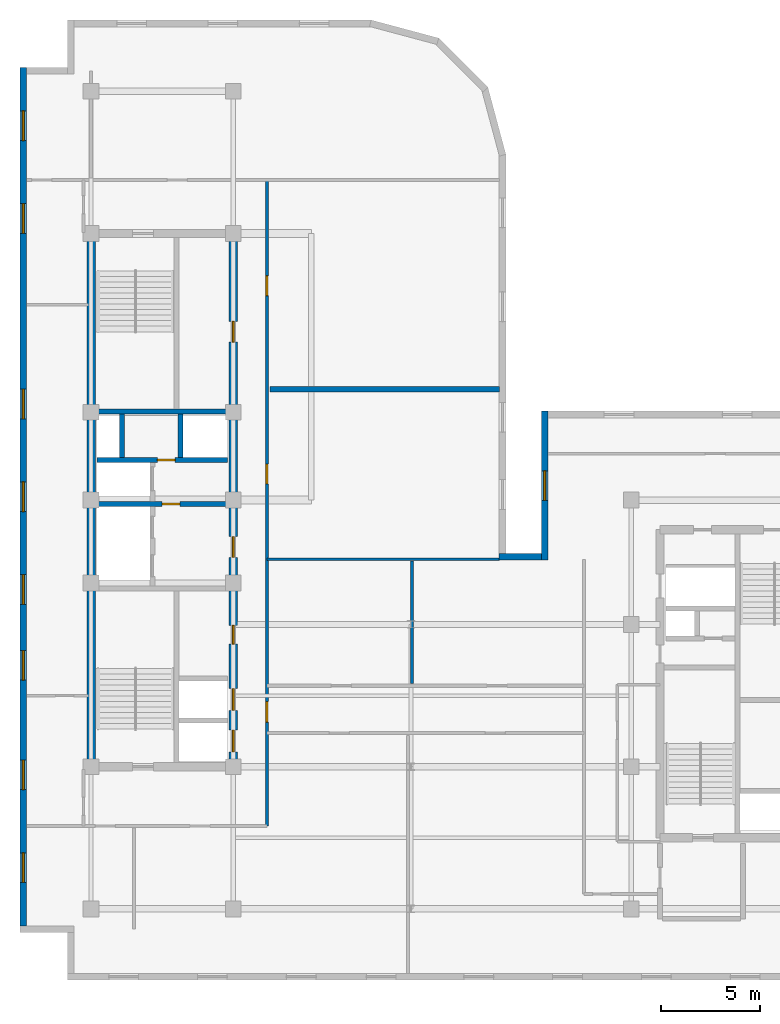
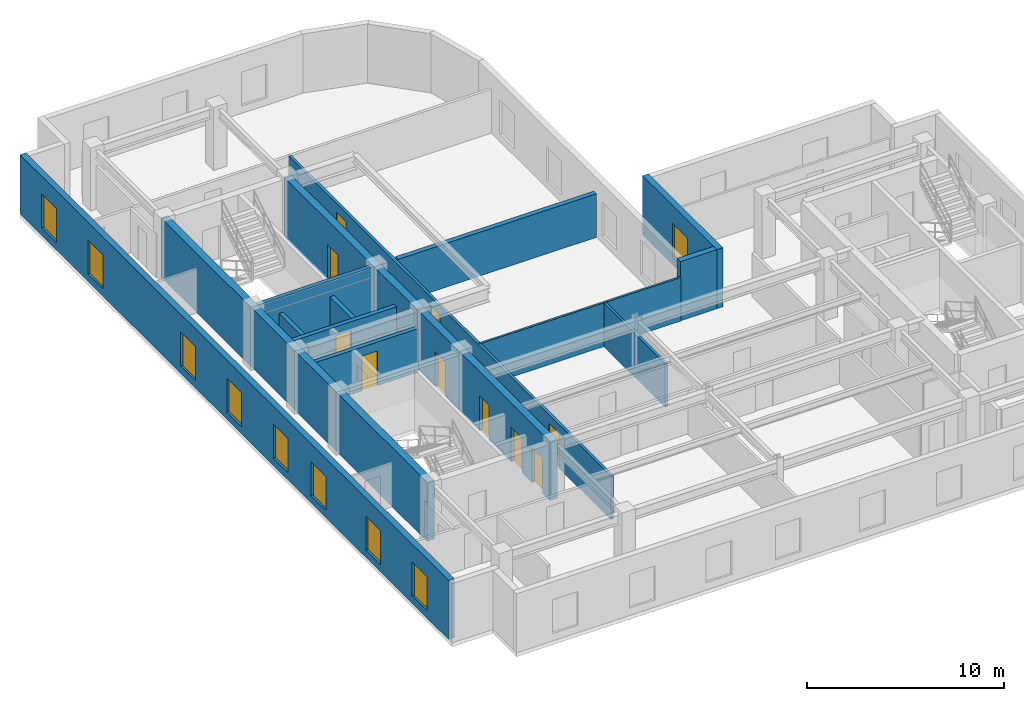
# One storey, part 4 of 9: 15 walls, 10 doors, 9 windows, 19 openings.
"""IFC4 building model written with IfcOpenShell, lengths in metres."""

from ifc_helpers import new_model, entity, si_unit, converted_unit, direction, frame, origin_with_axes, origin_2d_with_axis, place, context, subcontext, project, spatial, polyline, rectangle, outline, extrude, material, layer, layer_set, type_object, element, fill, save


model = new_model("IFC4")

# Units and contexts
model_context = context("Model", 3, precision=1e-05, world=origin_with_axes(), true_north=direction((0.0, 1.0)))
body_context = subcontext(model_context, "Body", "Model", "MODEL_VIEW")
ifc_project = project(units=[si_unit("LENGTHUNIT", "METRE"), si_unit("AREAUNIT", "SQUARE_METRE"), si_unit("VOLUMEUNIT", "CUBIC_METRE"), converted_unit("PLANEANGLEUNIT", "DEGREE", entity("IfcPlaneAngleMeasure", 0.017453292519943295), si_unit("PLANEANGLEUNIT", "RADIAN"), dimensions=[0, 0, 0, 0, 0, 0, 0]), si_unit("MASSUNIT", "GRAM", prefix="KILO"), si_unit("THERMODYNAMICTEMPERATUREUNIT", "KELVIN")], contexts=[model_context])

# Site, building, storey
site_placement = place(None, origin_with_axes())
site = spatial("IfcSite", under=ifc_project, at=site_placement, CompositionType="ELEMENT")
building_placement = place(site_placement, origin_with_axes())
building = spatial("IfcBuilding", under=site, at=building_placement, Name="Varnlund Millrace Tower", CompositionType="ELEMENT")
storey_placement = place(building_placement, frame((0.0, 0.0, 260.7), z_axis=(0.0, 0.0, 1.0), x_axis=(1.0, 0.0, 0.0)))
storey = spatial("IfcBuildingStorey", under=building, at=storey_placement, Name="L64", CompositionType="ELEMENT", Elevation=260.7)

# Wall
ifc_material_1 = material(Name="Concrete C60/75", Category="concrete")
ifc_layer_1 = layer(ifc_material_1, 0.42, Name="Concrete C60/75")
ifc_layer_set_1 = layer_set([ifc_layer_1], Name="Concrete C60/75")
wall_type_1 = type_object("IfcWallType", Name="Type-CoreWall-Shear-420-C60", PredefinedType="SHEAR", material=ifc_layer_set_1)
wall_1_placement = place(storey_placement, frame((11.4, 10.8, 0.0), z_axis=(0.0, 0.0, 1.0), x_axis=(0.0, 1.0, 0.0)))
element("IfcWall", 1, at=wall_1_placement, inside=storey, type_object=wall_type_1, Name="Type-CoreWall-Shear-420-C60", PredefinedType="SHEAR", context=body_context, shape_type="SweptSolid", body=[
    extrude(outline(polyline([(0.0, -0.21), (27.0, -0.21), (27.0, 0.21), (0.0, 0.21), (0.0, -0.21)])), origin_with_axes(), (0.0, 0.0, 1.0), 3.66),
])

# Wall, openings, doors
wall_2_placement = place(storey_placement, frame((18.6, 10.8, 0.0), z_axis=(0.0, 0.0, 1.0), x_axis=(0.0, 1.0, 0.0)))
wall_2 = element("IfcWall", 2, at=wall_2_placement, inside=storey, type_object=wall_type_1, Name="Type-CoreWall-Shear-420-C60", PredefinedType="SHEAR", context=body_context, shape_type="SweptSolid", body=[
    extrude(outline(polyline([(0.0, -0.21), (13.5, -0.21), (13.5, 0.21), (0.0, 0.21), (0.0, -0.21)])), origin_with_axes(), (0.0, 0.0, 1.0), 3.66),
])
opening_1_placement = place(wall_2_placement, frame((1.3, 0.0, 0.0), z_axis=(0.0, 0.0, 1.0), x_axis=(1.0, 0.0, 0.0)))
opening_1 = element("IfcOpeningElement", 3, at=opening_1_placement, cuts=wall_2, Name="Opening L64:LD-ELV-H1", PredefinedType="OPENING", context=body_context, shape_type="SweptSolid", body=[
    extrude(rectangle(XDim=1.1, YDim=0.44, at=origin_2d_with_axis()), origin_with_axes(), (0.0, 0.0, 1.0), 2.15),
])
opening_2_placement = place(wall_2_placement, frame((3.4, 0.0, 0.0), z_axis=(0.0, 0.0, 1.0), x_axis=(1.0, 0.0, 0.0)))
opening_2 = element("IfcOpeningElement", 4, at=opening_2_placement, cuts=wall_2, Name="Opening L64:LD-ELV-H2", PredefinedType="OPENING", context=body_context, shape_type="SweptSolid", body=[
    extrude(rectangle(XDim=1.1, YDim=0.44, at=origin_2d_with_axis()), origin_with_axes(), (0.0, 0.0, 1.0), 2.15),
])
opening_3_placement = place(wall_2_placement, frame((11.125, 0.0, 0.0), z_axis=(0.0, 0.0, 1.0), x_axis=(1.0, 0.0, 0.0)))
opening_3 = element("IfcOpeningElement", 5, at=opening_3_placement, cuts=wall_2, Name="Opening L64:DR-FFLOB-A", PredefinedType="OPENING", context=body_context, shape_type="SweptSolid", body=[
    extrude(rectangle(XDim=1.05, YDim=0.44, at=origin_2d_with_axis()), origin_with_axes(), (0.0, 0.0, 1.0), 2.15),
])
opening_4_placement = place(wall_2_placement, frame((6.675, 0.0, 0.0), z_axis=(0.0, 0.0, 1.0), x_axis=(1.0, 0.0, 0.0)))
opening_4 = element("IfcOpeningElement", 6, at=opening_4_placement, cuts=wall_2, Name="Opening L64:DR-RECL-S1AB", PredefinedType="OPENING", context=body_context, shape_type="SweptSolid", body=[
    extrude(rectangle(XDim=0.95, YDim=0.44, at=origin_2d_with_axis()), origin_with_axes(), (0.0, 0.0, 1.0), 2.15),
])
ifc_material_2 = material(Name="Smoke-barrier hollow steel fire door", Category="steel")
door_type_1 = type_object("IfcDoorType", Name="Type-FireDoor-Lobby-1050X2150", OperationType="NOTDEFINED", PredefinedType="DOOR", material=ifc_material_2)
door_1_placement = place(wall_2_placement, frame((11.125, 0.0, 0.0), z_axis=(0.0, 0.0, 1.0), x_axis=(1.0, 0.0, 0.0)))
door_1 = element("IfcDoor", 7, at=door_1_placement, inside=storey, type_object=door_type_1, Name="Type-FireDoor-Lobby-1050X2150", OperationType="SINGLE_SWING_LEFT", OverallHeight=2.15, OverallWidth=1.05, PredefinedType="DOOR", context=body_context, shape_type="SweptSolid", body=[
    extrude(rectangle(XDim=1.05, YDim=0.09, at=origin_2d_with_axis()), origin_with_axes(), (0.0, 0.0, 1.0), 2.15),
])
fill(opening_3, door_1)
ifc_material_3 = material(Name="Fire-rated hollow steel core service door", Category="steel")
door_type_2 = type_object("IfcDoorType", Name="Type-FireDoor-Service-950X2150", OperationType="NOTDEFINED", PredefinedType="DOOR", material=ifc_material_3)
door_2_placement = place(wall_2_placement, frame((6.675, 0.0, 0.0), z_axis=(0.0, 0.0, 1.0), x_axis=(1.0, 0.0, 0.0)))
door_2 = element("IfcDoor", 8, at=door_2_placement, inside=storey, type_object=door_type_2, Name="Type-FireDoor-Service-950X2150", OperationType="SINGLE_SWING_LEFT", OverallHeight=2.15, OverallWidth=0.95, PredefinedType="DOOR", context=body_context, shape_type="SweptSolid", body=[
    extrude(rectangle(XDim=0.95, YDim=0.09, at=origin_2d_with_axis()), origin_with_axes(), (0.0, 0.0, 1.0), 2.15),
])
fill(opening_4, door_2)
ifc_material_4 = material(Name="Stainless and architectural bronze sliding landing door")
door_type_3 = type_object("IfcDoorType", Name="Type-LiftLandingDoor-1100X2150", OperationType="NOTDEFINED", PredefinedType="DOOR", material=ifc_material_4)
door_3_placement = place(wall_2_placement, frame((1.3, 0.0, 0.0), z_axis=(0.0, 0.0, 1.0), x_axis=(1.0, 0.0, 0.0)))
door_3 = element("IfcDoor", 9, at=door_3_placement, inside=storey, type_object=door_type_3, Name="Type-LiftLandingDoor-1100X2150", OperationType="SLIDING_TO_LEFT", OverallHeight=2.15, OverallWidth=1.1, PredefinedType="DOOR", context=body_context, shape_type="SweptSolid", body=[
    extrude(rectangle(XDim=1.1, YDim=0.09, at=origin_2d_with_axis()), origin_with_axes(), (0.0, 0.0, 1.0), 2.15),
])
fill(opening_1, door_3)
door_4_placement = place(wall_2_placement, frame((3.4, 0.0, 0.0), z_axis=(0.0, 0.0, 1.0), x_axis=(1.0, 0.0, 0.0)))
door_4 = element("IfcDoor", 10, at=door_4_placement, inside=storey, type_object=door_type_3, Name="Type-LiftLandingDoor-1100X2150", OperationType="SLIDING_TO_RIGHT", OverallHeight=2.15, OverallWidth=1.1, PredefinedType="DOOR", context=body_context, shape_type="SweptSolid", body=[
    extrude(rectangle(XDim=1.1, YDim=0.09, at=origin_2d_with_axis()), origin_with_axes(), (0.0, 0.0, 1.0), 2.15),
])
fill(opening_2, door_4)

# Wall, opening, door
wall_3_placement = place(storey_placement, frame((18.6, 24.3, 0.0), z_axis=(0.0, 0.0, 1.0), x_axis=(0.0, 1.0, 0.0)))
wall_3 = element("IfcWall", 11, at=wall_3_placement, inside=storey, type_object=wall_type_1, Name="Type-CoreWall-Shear-420-C60", PredefinedType="SHEAR", context=body_context, shape_type="SweptSolid", body=[
    extrude(outline(polyline([(0.0, -0.21), (13.5, -0.21), (13.5, 0.21), (0.0, 0.21), (0.0, -0.21)])), origin_with_axes(), (0.0, 0.0, 1.0), 3.66),
])
opening_5_placement = place(wall_3_placement, frame((8.525, 0.0, 0.0), z_axis=(0.0, 0.0, 1.0), x_axis=(1.0, 0.0, 0.0)))
opening_5 = element("IfcOpeningElement", 12, at=opening_5_placement, cuts=wall_3, Name="Opening L64:DR-RECL-M", PredefinedType="OPENING", context=body_context, shape_type="SweptSolid", body=[
    extrude(rectangle(XDim=1.05, YDim=0.44, at=origin_2d_with_axis()), origin_with_axes(), (0.0, 0.0, 1.0), 2.15),
])
door_5_placement = place(wall_3_placement, frame((8.525, 0.0, 0.0), z_axis=(0.0, 0.0, 1.0), x_axis=(1.0, 0.0, 0.0)))
door_5 = element("IfcDoor", 13, at=door_5_placement, inside=storey, type_object=door_type_1, Name="Type-FireDoor-Lobby-1050X2150", OperationType="SINGLE_SWING_LEFT", OverallHeight=2.15, OverallWidth=1.05, PredefinedType="DOOR", context=body_context, shape_type="SweptSolid", body=[
    extrude(rectangle(XDim=1.05, YDim=0.09, at=origin_2d_with_axis()), origin_with_axes(), (0.0, 0.0, 1.0), 2.15),
])
fill(opening_5, door_5)

# Wall, opening, window
ifc_material_5 = material(Name="Precast concrete C50/60", Category="concrete")
ifc_layer_2 = layer(ifc_material_5, 0.34, Name="Precast concrete C50/60")
ifc_layer_set_2 = layer_set([ifc_layer_2], Name="Precast concrete C50/60")
wall_type_2 = type_object("IfcWallType", Name="Type-ExtWall-Precast-Upper-340", PredefinedType="SOLIDWALL", material=ifc_layer_set_2)
wall_4_placement = place(storey_placement, frame((34.37, 21.26, 0.0), z_axis=(0.0, 0.0, 1.0), x_axis=(0.0, 1.0, 0.0)))
wall_4 = element("IfcWall", 14, at=wall_4_placement, inside=storey, type_object=wall_type_2, Name="Type-ExtWall-Precast-Upper-340", PredefinedType="SOLIDWALL", context=body_context, shape_type="SweptSolid", body=[
    extrude(outline(polyline([(0.0, -0.17), (7.54, -0.17), (7.54, 0.17), (0.0, 0.17), (0.0, -0.17)])), origin_with_axes(), (0.0, 0.0, 1.0), 3.66),
])
opening_6_placement = place(wall_4_placement, frame((3.77, 0.0, 0.45), z_axis=(0.0, 0.0, 1.0), x_axis=(1.0, 0.0, 0.0)))
opening_6 = element("IfcOpeningElement", 15, at=opening_6_placement, cuts=wall_4, Name="Opening L64:WN-01", PredefinedType="OPENING", context=body_context, shape_type="SweptSolid", body=[
    extrude(rectangle(XDim=1.5, YDim=0.36, at=origin_2d_with_axis()), origin_with_axes(), (0.0, 0.0, 1.0), 2.1),
])
ifc_material_6 = material(Name="Argon low-e triple glazing in thermally broken bronze frame", Category="glass")
window_type = type_object("IfcWindowType", Name="Type-Window-Punched-1500X2100", PartitioningType="SINGLE_PANEL", PredefinedType="WINDOW", material=ifc_material_6)
window_1_placement = place(wall_4_placement, frame((3.77, 0.0, 0.45), z_axis=(0.0, 0.0, 1.0), x_axis=(1.0, 0.0, 0.0)))
window_1 = element("IfcWindow", 16, at=window_1_placement, inside=storey, type_object=window_type, Name="Type-Window-Punched-1500X2100", OverallHeight=2.1, OverallWidth=1.5, PredefinedType="WINDOW", context=body_context, shape_type="SweptSolid", body=[
    extrude(rectangle(XDim=1.5, YDim=0.09, at=origin_2d_with_axis()), origin_with_axes(), (0.0, 0.0, 1.0), 2.1),
])
fill(opening_6, window_1)

# Wall, openings, windows
wall_5_placement = place(storey_placement, frame((7.97, 2.74, 0.0), z_axis=(0.0, 0.0, 1.0), x_axis=(0.0, 1.0, 0.0)))
wall_5 = element("IfcWall", 17, at=wall_5_placement, inside=storey, type_object=wall_type_2, Name="Type-ExtWall-Precast-Upper-340", PredefinedType="SOLIDWALL", context=body_context, shape_type="SweptSolid", body=[
    extrude(outline(polyline([(0.0, -0.17), (43.46, -0.17), (43.46, 0.17), (0.0, 0.17), (0.0, -0.17)])), origin_with_axes(), (0.0, 0.0, 1.0), 3.66),
])
opening_7_placement = place(wall_5_placement, frame((2.948, 0.0, 0.45), z_axis=(0.0, 0.0, 1.0), x_axis=(1.0, 0.0, 0.0)))
opening_7 = element("IfcOpeningElement", 18, at=opening_7_placement, cuts=wall_5, Name="Opening L64:WN-17", PredefinedType="OPENING", context=body_context, shape_type="SweptSolid", body=[
    extrude(rectangle(XDim=1.5, YDim=0.36, at=origin_2d_with_axis()), origin_with_axes(), (0.0, 0.0, 1.0), 2.1),
])
opening_8_placement = place(wall_5_placement, frame((7.643, 0.0, 0.45), z_axis=(0.0, 0.0, 1.0), x_axis=(1.0, 0.0, 0.0)))
opening_8 = element("IfcOpeningElement", 19, at=opening_8_placement, cuts=wall_5, Name="Opening L64:WN-18", PredefinedType="OPENING", context=body_context, shape_type="SweptSolid", body=[
    extrude(rectangle(XDim=1.5, YDim=0.36, at=origin_2d_with_axis()), origin_with_axes(), (0.0, 0.0, 1.0), 2.1),
])
opening_9_placement = place(wall_5_placement, frame((13.189, 0.0, 0.45), z_axis=(0.0, 0.0, 1.0), x_axis=(1.0, 0.0, 0.0)))
opening_9 = element("IfcOpeningElement", 20, at=opening_9_placement, cuts=wall_5, Name="Opening L64:WN-19", PredefinedType="OPENING", context=body_context, shape_type="SweptSolid", body=[
    extrude(rectangle(XDim=1.5, YDim=0.36, at=origin_2d_with_axis()), origin_with_axes(), (0.0, 0.0, 1.0), 2.1),
])
opening_10_placement = place(wall_5_placement, frame((17.034, 0.0, 0.45), z_axis=(0.0, 0.0, 1.0), x_axis=(1.0, 0.0, 0.0)))
opening_10 = element("IfcOpeningElement", 21, at=opening_10_placement, cuts=wall_5, Name="Opening L64:WN-20", PredefinedType="OPENING", context=body_context, shape_type="SweptSolid", body=[
    extrude(rectangle(XDim=1.5, YDim=0.36, at=origin_2d_with_axis()), origin_with_axes(), (0.0, 0.0, 1.0), 2.1),
])
opening_11_placement = place(wall_5_placement, frame((21.73, 0.0, 0.45), z_axis=(0.0, 0.0, 1.0), x_axis=(1.0, 0.0, 0.0)))
opening_11 = element("IfcOpeningElement", 22, at=opening_11_placement, cuts=wall_5, Name="Opening L64:WN-21", PredefinedType="OPENING", context=body_context, shape_type="SweptSolid", body=[
    extrude(rectangle(XDim=1.5, YDim=0.36, at=origin_2d_with_axis()), origin_with_axes(), (0.0, 0.0, 1.0), 2.1),
])
opening_12_placement = place(wall_5_placement, frame((26.426, 0.0, 0.45), z_axis=(0.0, 0.0, 1.0), x_axis=(1.0, 0.0, 0.0)))
opening_12 = element("IfcOpeningElement", 23, at=opening_12_placement, cuts=wall_5, Name="Opening L64:WN-22", PredefinedType="OPENING", context=body_context, shape_type="SweptSolid", body=[
    extrude(rectangle(XDim=1.5, YDim=0.36, at=origin_2d_with_axis()), origin_with_axes(), (0.0, 0.0, 1.0), 2.1),
])
opening_13_placement = place(wall_5_placement, frame((35.817, 0.0, 0.45), z_axis=(0.0, 0.0, 1.0), x_axis=(1.0, 0.0, 0.0)))
opening_13 = element("IfcOpeningElement", 24, at=opening_13_placement, cuts=wall_5, Name="Opening L64:WN-23", PredefinedType="OPENING", context=body_context, shape_type="SweptSolid", body=[
    extrude(rectangle(XDim=1.5, YDim=0.36, at=origin_2d_with_axis()), origin_with_axes(), (0.0, 0.0, 1.0), 2.1),
])
opening_14_placement = place(wall_5_placement, frame((40.512, 0.0, 0.45), z_axis=(0.0, 0.0, 1.0), x_axis=(1.0, 0.0, 0.0)))
opening_14 = element("IfcOpeningElement", 25, at=opening_14_placement, cuts=wall_5, Name="Opening L64:WN-24", PredefinedType="OPENING", context=body_context, shape_type="SweptSolid", body=[
    extrude(rectangle(XDim=1.5, YDim=0.36, at=origin_2d_with_axis()), origin_with_axes(), (0.0, 0.0, 1.0), 2.1),
])
window_2_placement = place(wall_5_placement, frame((2.948, 0.0, 0.45), z_axis=(0.0, 0.0, 1.0), x_axis=(1.0, 0.0, 0.0)))
window_2 = element("IfcWindow", 26, at=window_2_placement, inside=storey, type_object=window_type, Name="Type-Window-Punched-1500X2100", OverallHeight=2.1, OverallWidth=1.5, PredefinedType="WINDOW", context=body_context, shape_type="SweptSolid", body=[
    extrude(rectangle(XDim=1.5, YDim=0.09, at=origin_2d_with_axis()), origin_with_axes(), (0.0, 0.0, 1.0), 2.1),
])
fill(opening_7, window_2)
window_3_placement = place(wall_5_placement, frame((7.643, 0.0, 0.45), z_axis=(0.0, 0.0, 1.0), x_axis=(1.0, 0.0, 0.0)))
window_3 = element("IfcWindow", 27, at=window_3_placement, inside=storey, type_object=window_type, Name="Type-Window-Punched-1500X2100", OverallHeight=2.1, OverallWidth=1.5, PredefinedType="WINDOW", context=body_context, shape_type="SweptSolid", body=[
    extrude(rectangle(XDim=1.5, YDim=0.09, at=origin_2d_with_axis()), origin_with_axes(), (0.0, 0.0, 1.0), 2.1),
])
fill(opening_8, window_3)
window_4_placement = place(wall_5_placement, frame((13.189, 0.0, 0.45), z_axis=(0.0, 0.0, 1.0), x_axis=(1.0, 0.0, 0.0)))
window_4 = element("IfcWindow", 28, at=window_4_placement, inside=storey, type_object=window_type, Name="Type-Window-Punched-1500X2100", OverallHeight=2.1, OverallWidth=1.5, PredefinedType="WINDOW", context=body_context, shape_type="SweptSolid", body=[
    extrude(rectangle(XDim=1.5, YDim=0.09, at=origin_2d_with_axis()), origin_with_axes(), (0.0, 0.0, 1.0), 2.1),
])
fill(opening_9, window_4)
window_5_placement = place(wall_5_placement, frame((17.034, 0.0, 0.45), z_axis=(0.0, 0.0, 1.0), x_axis=(1.0, 0.0, 0.0)))
window_5 = element("IfcWindow", 29, at=window_5_placement, inside=storey, type_object=window_type, Name="Type-Window-Punched-1500X2100", OverallHeight=2.1, OverallWidth=1.5, PredefinedType="WINDOW", context=body_context, shape_type="SweptSolid", body=[
    extrude(rectangle(XDim=1.5, YDim=0.09, at=origin_2d_with_axis()), origin_with_axes(), (0.0, 0.0, 1.0), 2.1),
])
fill(opening_10, window_5)
window_6_placement = place(wall_5_placement, frame((21.73, 0.0, 0.45), z_axis=(0.0, 0.0, 1.0), x_axis=(1.0, 0.0, 0.0)))
window_6 = element("IfcWindow", 30, at=window_6_placement, inside=storey, type_object=window_type, Name="Type-Window-Punched-1500X2100", OverallHeight=2.1, OverallWidth=1.5, PredefinedType="WINDOW", context=body_context, shape_type="SweptSolid", body=[
    extrude(rectangle(XDim=1.5, YDim=0.09, at=origin_2d_with_axis()), origin_with_axes(), (0.0, 0.0, 1.0), 2.1),
])
fill(opening_11, window_6)
window_7_placement = place(wall_5_placement, frame((26.426, 0.0, 0.45), z_axis=(0.0, 0.0, 1.0), x_axis=(1.0, 0.0, 0.0)))
window_7 = element("IfcWindow", 31, at=window_7_placement, inside=storey, type_object=window_type, Name="Type-Window-Punched-1500X2100", OverallHeight=2.1, OverallWidth=1.5, PredefinedType="WINDOW", context=body_context, shape_type="SweptSolid", body=[
    extrude(rectangle(XDim=1.5, YDim=0.09, at=origin_2d_with_axis()), origin_with_axes(), (0.0, 0.0, 1.0), 2.1),
])
fill(opening_12, window_7)
window_8_placement = place(wall_5_placement, frame((35.817, 0.0, 0.45), z_axis=(0.0, 0.0, 1.0), x_axis=(1.0, 0.0, 0.0)))
window_8 = element("IfcWindow", 32, at=window_8_placement, inside=storey, type_object=window_type, Name="Type-Window-Punched-1500X2100", OverallHeight=2.1, OverallWidth=1.5, PredefinedType="WINDOW", context=body_context, shape_type="SweptSolid", body=[
    extrude(rectangle(XDim=1.5, YDim=0.09, at=origin_2d_with_axis()), origin_with_axes(), (0.0, 0.0, 1.0), 2.1),
])
fill(opening_13, window_8)
window_9_placement = place(wall_5_placement, frame((40.512, 0.0, 0.45), z_axis=(0.0, 0.0, 1.0), x_axis=(1.0, 0.0, 0.0)))
window_9 = element("IfcWindow", 33, at=window_9_placement, inside=storey, type_object=window_type, Name="Type-Window-Punched-1500X2100", OverallHeight=2.1, OverallWidth=1.5, PredefinedType="WINDOW", context=body_context, shape_type="SweptSolid", body=[
    extrude(rectangle(XDim=1.5, YDim=0.09, at=origin_2d_with_axis()), origin_with_axes(), (0.0, 0.0, 1.0), 2.1),
])
fill(opening_14, window_9)

# Walls
wall_6_placement = place(storey_placement, frame((32.06, 21.43, 0.0), z_axis=(0.0, 0.0, 1.0), x_axis=(1.0, 0.0, 0.0)))
element("IfcWall", 34, at=wall_6_placement, inside=storey, type_object=wall_type_2, Name="Type-ExtWall-Precast-Upper-340", PredefinedType="SOLIDWALL", context=body_context, shape_type="SweptSolid", body=[
    extrude(outline(polyline([(0.0, -0.17), (2.14, -0.17), (2.14, 0.17), (0.0, 0.17), (0.0, -0.17)])), origin_with_axes(), (0.0, 0.0, 1.0), 3.66),
])
ifc_material_7 = material(Name="Double-stud STC-60 conference acoustic partition", Category="gypsum")
ifc_layer_3 = layer(ifc_material_7, 0.28, Name="Double-stud STC-60 conference acoustic partition")
ifc_layer_set_3 = layer_set([ifc_layer_3], Name="Double-stud STC-60 conference acoustic partition")
wall_type_3 = type_object("IfcWallType", Name="Type-Partition-Acoustic-280", PredefinedType="PARTITIONING", material=ifc_layer_set_3)
wall_7_placement = place(storey_placement, frame((20.45, 29.92, 0.0), z_axis=(0.0, 0.0, 1.0), x_axis=(1.0, 0.0, 0.0)))
element("IfcWall", 35, at=wall_7_placement, inside=storey, type_object=wall_type_3, Name="Type-Partition-Acoustic-280", PredefinedType="PARTITIONING", context=body_context, shape_type="SweptSolid", body=[
    extrude(outline(polyline([(0.0, -0.14), (11.615, -0.14), (11.615, 0.14), (0.0, 0.14), (0.0, -0.14)])), origin_with_axes(), (0.0, 0.0, 1.0), 2.7),
])

# Wall, openings, doors
ifc_material_8 = material(Name="Fire-rated gypsum board on cold-formed steel framing", Category="steel")
ifc_layer_4 = layer(ifc_material_8, 0.16, Name="Fire-rated gypsum board on cold-formed steel framing")
ifc_layer_set_4 = layer_set([ifc_layer_4], Name="Fire-rated gypsum board on cold-formed steel framing")
wall_type_4 = type_object("IfcWallType", Name="Type-Partition-Corridor-160", PredefinedType="PARTITIONING", material=ifc_layer_set_4)
wall_8_placement = place(storey_placement, frame((20.3, 7.8, 0.0), z_axis=(0.0, 0.0, 1.0), x_axis=(0.0, 1.0, 0.0)))
wall_8 = element("IfcWall", 36, at=wall_8_placement, inside=storey, type_object=wall_type_4, Name="Type-Partition-Corridor-160", PredefinedType="PARTITIONING", context=body_context, shape_type="SweptSolid", body=[
    extrude(outline(polyline([(0.0, -0.08), (32.7, -0.08), (32.7, 0.08), (0.0, 0.08), (0.0, -0.08)])), origin_with_axes(), (0.0, 0.0, 1.0), 2.7),
])
opening_15_placement = place(wall_8_placement, frame((17.825, 0.0, 0.0), z_axis=(0.0, 0.0, 1.0), x_axis=(1.0, 0.0, 0.0)))
opening_15 = element("IfcOpeningElement", 37, at=opening_15_placement, cuts=wall_8, Name="Opening L64:DR-FLR-01", PredefinedType="OPENING", context=body_context, shape_type="SweptSolid", body=[
    extrude(rectangle(XDim=1.0, YDim=0.18, at=origin_2d_with_axis()), origin_with_axes(), (0.0, 0.0, 1.0), 2.15),
])
opening_16_placement = place(wall_8_placement, frame((27.345, 0.0, 0.0), z_axis=(0.0, 0.0, 1.0), x_axis=(1.0, 0.0, 0.0)))
opening_16 = element("IfcOpeningElement", 38, at=opening_16_placement, cuts=wall_8, Name="Opening L64:DR-FLR-02", PredefinedType="OPENING", context=body_context, shape_type="SweptSolid", body=[
    extrude(rectangle(XDim=1.0, YDim=0.18, at=origin_2d_with_axis()), origin_with_axes(), (0.0, 0.0, 1.0), 2.15),
])
opening_17_placement = place(wall_8_placement, frame((5.775, 0.0, 0.0), z_axis=(0.0, 0.0, 1.0), x_axis=(1.0, 0.0, 0.0)))
opening_17 = element("IfcOpeningElement", 39, at=opening_17_placement, cuts=wall_8, Name="Opening L64:DR-KN-W", PredefinedType="OPENING", context=body_context, shape_type="SweptSolid", body=[
    extrude(rectangle(XDim=1.05, YDim=0.18, at=origin_2d_with_axis()), origin_with_axes(), (0.0, 0.0, 1.0), 2.15),
])
door_6_placement = place(wall_8_placement, frame((5.775, 0.0, 0.0), z_axis=(0.0, 0.0, 1.0), x_axis=(1.0, 0.0, 0.0)))
door_6 = element("IfcDoor", 40, at=door_6_placement, inside=storey, type_object=door_type_1, Name="Type-FireDoor-Lobby-1050X2150", OperationType="SINGLE_SWING_LEFT", OverallHeight=2.15, OverallWidth=1.05, PredefinedType="DOOR", context=body_context, shape_type="SweptSolid", body=[
    extrude(rectangle(XDim=1.05, YDim=0.09, at=origin_2d_with_axis()), origin_with_axes(), (0.0, 0.0, 1.0), 2.15),
])
fill(opening_17, door_6)
ifc_material_9 = material(Name="Solid-core white oak and bronze frame door")
door_type_4 = type_object("IfcDoorType", Name="Type-IntDoor-Office-1000X2150", OperationType="NOTDEFINED", PredefinedType="DOOR", material=ifc_material_9)
door_7_placement = place(wall_8_placement, frame((17.825, 0.0, 0.0), z_axis=(0.0, 0.0, 1.0), x_axis=(1.0, 0.0, 0.0)))
door_7 = element("IfcDoor", 41, at=door_7_placement, inside=storey, type_object=door_type_4, Name="Type-IntDoor-Office-1000X2150", OperationType="SINGLE_SWING_LEFT", OverallHeight=2.15, OverallWidth=1.0, PredefinedType="DOOR", context=body_context, shape_type="SweptSolid", body=[
    extrude(rectangle(XDim=1.0, YDim=0.09, at=origin_2d_with_axis()), origin_with_axes(), (0.0, 0.0, 1.0), 2.15),
])
fill(opening_15, door_7)
door_8_placement = place(wall_8_placement, frame((27.345, 0.0, 0.0), z_axis=(0.0, 0.0, 1.0), x_axis=(1.0, 0.0, 0.0)))
door_8 = element("IfcDoor", 42, at=door_8_placement, inside=storey, type_object=door_type_4, Name="Type-IntDoor-Office-1000X2150", OperationType="SINGLE_SWING_RIGHT", OverallHeight=2.15, OverallWidth=1.0, PredefinedType="DOOR", context=body_context, shape_type="SweptSolid", body=[
    extrude(rectangle(XDim=1.0, YDim=0.09, at=origin_2d_with_axis()), origin_with_axes(), (0.0, 0.0, 1.0), 2.15),
])
fill(opening_16, door_8)

# Walls
ifc_material_10 = material(Name="Acoustic STC-50 gypsum board partition", Category="gypsum")
ifc_layer_5 = layer(ifc_material_10, 0.15, Name="Acoustic STC-50 gypsum board partition")
ifc_layer_set_5 = layer_set([ifc_layer_5], Name="Acoustic STC-50 gypsum board partition")
wall_type_5 = type_object("IfcWallType", Name="Type-Partition-Demising-150", PredefinedType="PARTITIONING", material=ifc_layer_set_5)
wall_9_placement = place(storey_placement, frame((27.638, 15.02, 0.0), z_axis=(0.0, 0.0, 1.0), x_axis=(0.0, 1.0, 0.0)))
element("IfcWall", 43, at=wall_9_placement, inside=storey, type_object=wall_type_5, Name="Type-Partition-Demising-150", PredefinedType="PARTITIONING", context=body_context, shape_type="SweptSolid", body=[
    extrude(outline(polyline([(0.0, -0.075), (6.2, -0.075), (6.2, 0.075), (0.0, 0.075), (0.0, -0.075)])), origin_with_axes(), (0.0, 0.0, 1.0), 2.7),
])
ifc_material_11 = material(Name="Gypsum board tenant partition", Category="gypsum")
ifc_layer_6 = layer(ifc_material_11, 0.125, Name="Gypsum board tenant partition")
ifc_layer_set_6 = layer_set([ifc_layer_6], Name="Gypsum board tenant partition")
wall_type_6 = type_object("IfcWallType", Name="Type-Partition-Tenant-125", PredefinedType="PARTITIONING", material=ifc_layer_set_6)
wall_10_placement = place(storey_placement, frame((20.3, 21.3, 0.0), z_axis=(0.0, 0.0, 1.0), x_axis=(1.0, 0.0, 0.0)))
element("IfcWall", 44, at=wall_10_placement, inside=storey, type_object=wall_type_6, Name="Type-Partition-Tenant-125", PredefinedType="PARTITIONING", context=body_context, shape_type="SweptSolid", body=[
    extrude(outline(polyline([(0.0, -0.0625), (11.765, -0.0625), (11.765, 0.0625), (0.0, 0.0625), (0.0, -0.0625)])), origin_with_axes(), (0.0, 0.0, 1.0), 2.7),
])

# Wall, opening, door
ifc_layer_7 = layer(ifc_material_1, 0.25, Name="Concrete C60/75")
ifc_layer_set_7 = layer_set([ifc_layer_7], Name="Concrete C60/75")
wall_type_7 = type_object("IfcWallType", Name="Type-ShaftWall-Fire-250", PredefinedType="SOLIDWALL", material=ifc_layer_set_7)
wall_11_placement = place(storey_placement, frame((11.7, 24.1, 0.0), z_axis=(0.0, 0.0, 1.0), x_axis=(1.0, 0.0, 0.0)))
wall_11 = element("IfcWall", 45, at=wall_11_placement, inside=storey, type_object=wall_type_7, Name="Type-ShaftWall-Fire-250", PredefinedType="SOLIDWALL", context=body_context, shape_type="SweptSolid", body=[
    extrude(outline(polyline([(0.0, -0.125), (6.6, -0.125), (6.6, 0.125), (0.0, 0.125), (0.0, -0.125)])), origin_with_axes(), (0.0, 0.0, 1.0), 2.7),
])
opening_18_placement = place(wall_11_placement, frame((3.75, 0.0, 0.0), z_axis=(0.0, 0.0, 1.0), x_axis=(1.0, 0.0, 0.0)))
opening_18 = element("IfcOpeningElement", 46, at=opening_18_placement, cuts=wall_11, Name="Opening L64:DR-CA-SRV1", PredefinedType="OPENING", context=body_context, shape_type="SweptSolid", body=[
    extrude(rectangle(XDim=0.9, YDim=0.27, at=origin_2d_with_axis()), origin_with_axes(), (0.0, 0.0, 1.0), 2.15),
])
ifc_material_12 = material(Name="Fire-rated hollow steel service closet door", Category="steel")
door_type_5 = type_object("IfcDoorType", Name="Type-FireDoor-Closet-900X2150", OperationType="NOTDEFINED", PredefinedType="DOOR", material=ifc_material_12)
door_9_placement = place(wall_11_placement, frame((3.75, 0.0, 0.0), z_axis=(0.0, 0.0, 1.0), x_axis=(1.0, 0.0, 0.0)))
door_9 = element("IfcDoor", 47, at=door_9_placement, inside=storey, type_object=door_type_5, Name="Type-FireDoor-Closet-900X2150", OperationType="SINGLE_SWING_LEFT", OverallHeight=2.15, OverallWidth=0.9, PredefinedType="DOOR", context=body_context, shape_type="SweptSolid", body=[
    extrude(rectangle(XDim=0.9, YDim=0.09, at=origin_2d_with_axis()), origin_with_axes(), (0.0, 0.0, 1.0), 2.15),
])
fill(opening_18, door_9)

wall_12_placement = place(storey_placement, frame((11.7, 26.325, 0.0), z_axis=(0.0, 0.0, 1.0), x_axis=(1.0, 0.0, 0.0)))
wall_12 = element("IfcWall", 48, at=wall_12_placement, inside=storey, type_object=wall_type_7, Name="Type-ShaftWall-Fire-250", PredefinedType="SOLIDWALL", context=body_context, shape_type="SweptSolid", body=[
    extrude(outline(polyline([(0.0, -0.125), (6.6, -0.125), (6.6, 0.125), (0.0, 0.125), (0.0, -0.125)])), origin_with_axes(), (0.0, 0.0, 1.0), 2.7),
])
opening_19_placement = place(wall_12_placement, frame((3.5, 0.0, 0.0), z_axis=(0.0, 0.0, 1.0), x_axis=(1.0, 0.0, 0.0)))
opening_19 = element("IfcOpeningElement", 49, at=opening_19_placement, cuts=wall_12, Name="Opening L64:DR-CA-ELC", PredefinedType="OPENING", context=body_context, shape_type="SweptSolid", body=[
    extrude(rectangle(XDim=0.9, YDim=0.27, at=origin_2d_with_axis()), origin_with_axes(), (0.0, 0.0, 1.0), 2.15),
])
door_10_placement = place(wall_12_placement, frame((3.5, 0.0, 0.0), z_axis=(0.0, 0.0, 1.0), x_axis=(1.0, 0.0, 0.0)))
door_10 = element("IfcDoor", 50, at=door_10_placement, inside=storey, type_object=door_type_5, Name="Type-FireDoor-Closet-900X2150", OperationType="SINGLE_SWING_LEFT", OverallHeight=2.15, OverallWidth=0.9, PredefinedType="DOOR", context=body_context, shape_type="SweptSolid", body=[
    extrude(rectangle(XDim=0.9, YDim=0.09, at=origin_2d_with_axis()), origin_with_axes(), (0.0, 0.0, 1.0), 2.15),
])
fill(opening_19, door_10)

# Walls
for number, where, z_axis, x_axis, name in (
    (51, (12.96, 26.45, 0.0), (0.0, 0.0, 1.0), (0.0, 1.0, 0.0), "Type-ShaftWall-Fire-250"),
    (52, (15.925, 26.45, 0.0), (0.0, 0.0, 1.0), (0.0, 1.0, 0.0), "Type-ShaftWall-Fire-250"),
):
    element("IfcWall", number, at=place(storey_placement, frame(where, z_axis=z_axis, x_axis=x_axis)), inside=storey, type_object=wall_type_7, Name=name, PredefinedType="SOLIDWALL", context=body_context, shape_type="SweptSolid", body=[
        extrude(outline(polyline([(0.0, -0.125), (2.2, -0.125), (2.2, 0.125), (0.0, 0.125), (0.0, -0.125)])), origin_with_axes(), (0.0, 0.0, 1.0), 2.7),
    ])
wall_type_8 = type_object("IfcWallType", Name="Type-StairWall-Shear-250", PredefinedType="SHEAR", material=ifc_layer_set_7)
wall_13_placement = place(storey_placement, frame((11.61, 28.775, 0.0), z_axis=(0.0, 0.0, 1.0), x_axis=(1.0, 0.0, 0.0)))
element("IfcWall", 53, at=wall_13_placement, inside=storey, type_object=wall_type_8, Name="Type-StairWall-Shear-250", PredefinedType="SHEAR", context=body_context, shape_type="SweptSolid", body=[
    extrude(outline(polyline([(0.0, -0.125), (6.78, -0.125), (6.78, 0.125), (0.0, 0.125), (0.0, -0.125)])), origin_with_axes(), (0.0, 0.0, 1.0), 3.66),
])

save(model, "model.ifc")
